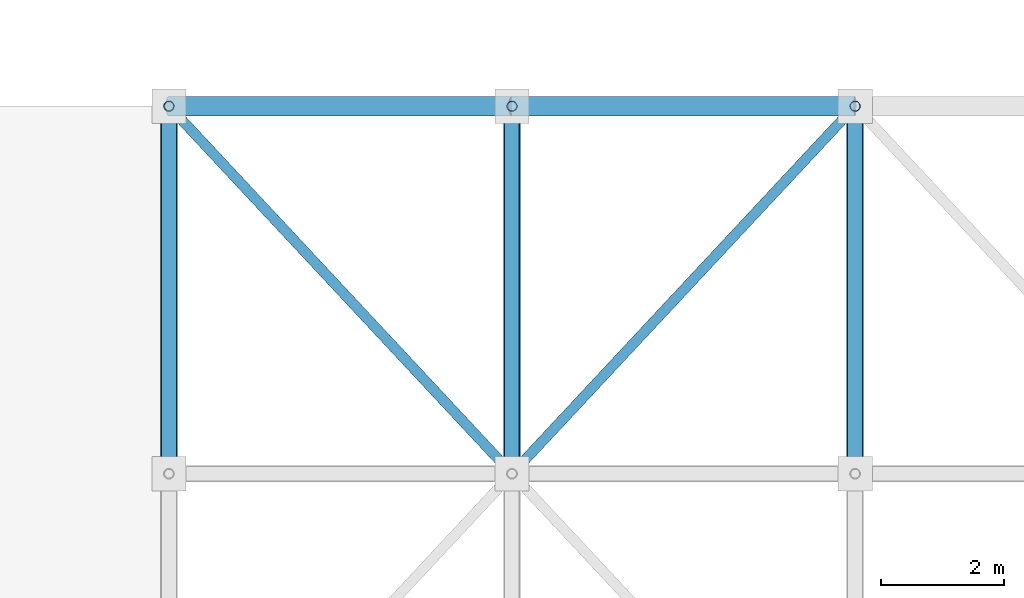
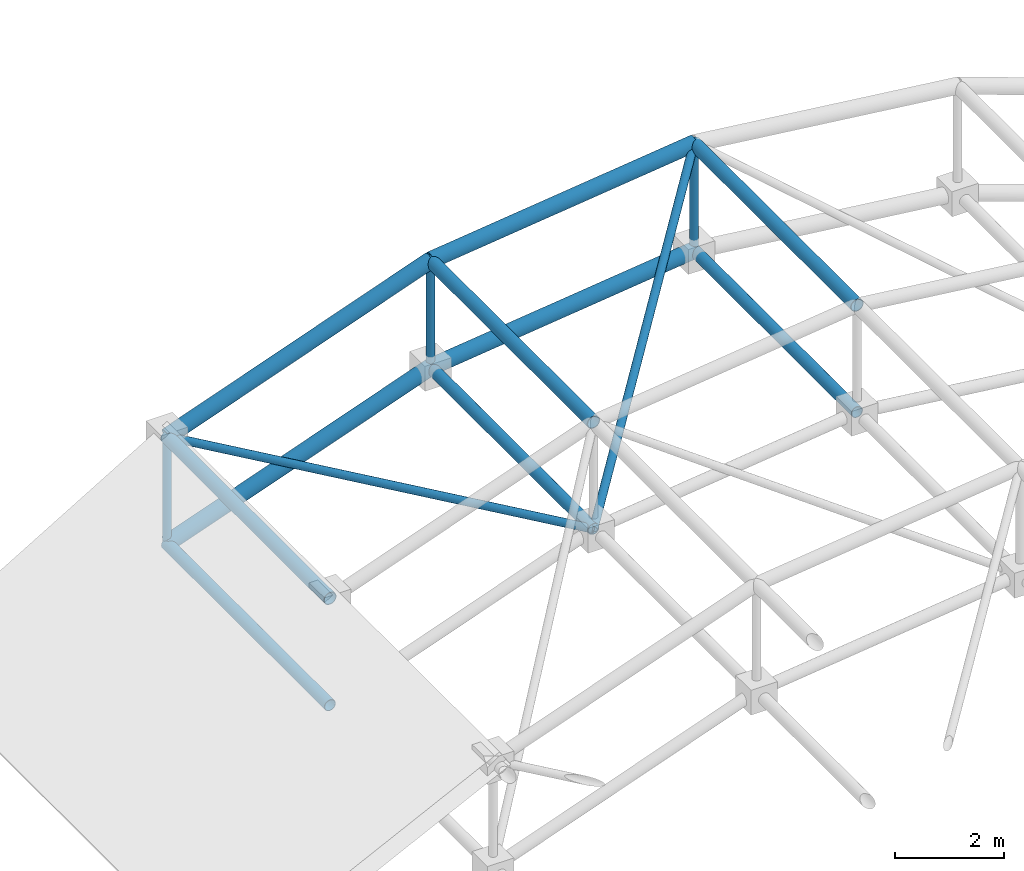
# One storey, part 92 of 140: 15 members.
"""IFC4 building model written with IfcOpenShell, lengths in metres."""

from ifc_helpers import new_model, si_unit, direction, frame, origin, origin_2d, place, context, subcontext, project, spatial, hollow_circle, extrude, material, material_profile, profile_set, type_object, element, save


model = new_model("IFC4")

# Units and contexts
model_context = context("Model", 3, precision=1e-05, world=origin(), true_north=direction((0.0, 1.0)))
body_context = subcontext(model_context, "Body", "Model", "MODEL_VIEW")
ifc_project = project(units=[si_unit("LENGTHUNIT", "METRE"), si_unit("AREAUNIT", "SQUARE_METRE"), si_unit("VOLUMEUNIT", "CUBIC_METRE"), si_unit("PLANEANGLEUNIT", "RADIAN"), si_unit("MASSUNIT", "GRAM", prefix="KILO")], contexts=[model_context])

# Site, building, storey
site_placement = place(None, origin())
site = spatial("IfcSite", under=ifc_project, at=site_placement, CompositionType="ELEMENT")
building_placement = place(site_placement, origin())
building = spatial("IfcBuilding", under=site, at=building_placement, Name="Trelvath General Hospital", CompositionType="ELEMENT")
storey_placement = place(building_placement, frame((0.0, 0.0, 16.199951171875)))
storey = spatial("IfcBuildingStorey", under=building, at=storey_placement, Name="L04", CompositionType="ELEMENT", Elevation=16.199951171875)

# Members
ifc_material_1 = material(Name="Steel S355", Category="steel")
ifc_material_profile_1 = material_profile(ifc_material_1, hollow_circle(Radius=0.122314453125, WallThickness=0.010009765625, at=origin_2d()), Name="CHS244.5x10.0")
ifc_profile_set_1 = profile_set([ifc_material_profile_1], Name="Steel S355")
member_type_1 = type_object("IfcMemberType", Name="SpaceFrameBottomChord CHS244", PredefinedType="CHORD", material=ifc_profile_set_1)
for number, where, z_axis, x_axis, name in (
    (1, (148.39990234375, 61.199951171875, 0.033447265625), (0.0, 1.0, 0.0), (-1.0, 0.0, 0.0), "Space Frame Bottom Chord Y 2-7"),
    (2, (154.0, 61.199951171875, 2.033447265625), (0.0, 1.0, 0.0), (-1.0, 0.0, 0.0), "Space Frame Bottom Chord Y 3-7"),
    (3, (159.60009765625, 61.199951171875, 2.699951171875), (0.0, 1.0, 0.0), (-1.0, 0.0, 0.0), "Space Frame Bottom Chord Y 4-7"),
):
    element("IfcMember", number, at=place(storey_placement, frame(where, z_axis=z_axis, x_axis=x_axis)), inside=storey, type_object=member_type_1, Name=name, PredefinedType="CHORD", context=body_context, shape_type="SweptSolid", body=[
        extrude(hollow_circle(Radius=0.122314453125, WallThickness=0.010009765625, at=origin_2d()), origin(), (0.0, 0.0, 1.0), 6.0),
    ])
ifc_material_2 = material(Name="Steel S355", Category="steel")
ifc_material_profile_2 = material_profile(ifc_material_2, hollow_circle(Radius=0.084228515625, WallThickness=0.008056640625, at=origin_2d()), Name="CHS168.3x8.0")
ifc_profile_set_2 = profile_set([ifc_material_profile_2], Name="Steel S355")
member_type_2 = type_object("IfcMemberType", Name="SpaceFrameDiagStd CHS168", PredefinedType="BRACE", material=ifc_profile_set_2)
member_1_placement = place(storey_placement, frame((154.0, 61.199951171875, 2.033447265625), z_axis=(-0.681516095791, 0.730183083536, 0.048666987745), x_axis=(-0.731049333052, -0.682324609438, 0.0)))
element("IfcMember", 4, at=member_1_placement, inside=storey, type_object=member_type_2, Name="Space Frame Web Diagonal B 2-7", PredefinedType="BRACE", context=body_context, shape_type="SweptSolid", body=[
    extrude(hollow_circle(Radius=0.084228515625, WallThickness=0.008056640625, at=origin_2d()), origin(), (0.0, 0.0, 1.0), 8.217041015625),
])
member_2_placement = place(storey_placement, frame((148.39990234375, 67.199951171875, 0.033447265625), z_axis=(0.0, 0.0, 1.0), x_axis=(1.0, 0.0, 0.0)))
element("IfcMember", 5, at=member_2_placement, inside=storey, type_object=member_type_2, Name="Space Frame Web Post 2-8", PredefinedType="BRACE", context=body_context, shape_type="SweptSolid", body=[
    extrude(hollow_circle(Radius=0.084228515625, WallThickness=0.008056640625, at=origin_2d()), origin(), (0.0, 0.0, 1.0), 2.39990234375),
])
member_3_placement = place(storey_placement, frame((154.0, 61.199951171875, 2.033447265625), z_axis=(0.639164628842, 0.684807303096, 0.350010763924), x_axis=(-0.731049333052, 0.682324609438, 0.0)))
element("IfcMember", 6, at=member_3_placement, inside=storey, type_object=member_type_2, Name="Space Frame Web Diagonal A 3-7", PredefinedType="BRACE", context=body_context, shape_type="SweptSolid", body=[
    extrude(hollow_circle(Radius=0.084228515625, WallThickness=0.008056640625, at=origin_2d()), origin(), (0.0, 0.0, 1.0), 8.761474609375),
])
member_4_placement = place(storey_placement, frame((154.0, 67.199951171875, 2.033447265625), z_axis=(0.0, 0.0, 1.0), x_axis=(1.0, 0.0, 0.0)))
element("IfcMember", 7, at=member_4_placement, inside=storey, type_object=member_type_2, Name="Space Frame Web Post 3-8", PredefinedType="BRACE", context=body_context, shape_type="SweptSolid", body=[
    extrude(hollow_circle(Radius=0.084228515625, WallThickness=0.008056640625, at=origin_2d()), origin(), (0.0, 0.0, 1.0), 2.39990234375),
])
member_5_placement = place(storey_placement, frame((159.60009765625, 67.199951171875, 2.699951171875), z_axis=(0.0, 0.0, 1.0), x_axis=(1.0, 0.0, 0.0)))
element("IfcMember", 8, at=member_5_placement, inside=storey, type_object=member_type_2, Name="Space Frame Web Post 4-8", PredefinedType="BRACE", context=body_context, shape_type="SweptSolid", body=[
    extrude(hollow_circle(Radius=0.084228515625, WallThickness=0.008056640625, at=origin_2d()), origin(), (0.0, 0.0, 1.0), 2.400146484375),
])
ifc_material_3 = material(Name="Steel S355", Category="steel")
ifc_material_profile_3 = material_profile(ifc_material_3, hollow_circle(Radius=0.161865234375, WallThickness=0.012451171875, at=origin_2d()), Name="CHS323.9x12.5")
ifc_profile_set_3 = profile_set([ifc_material_profile_3], Name="Steel S355")
member_type_3 = type_object("IfcMemberType", Name="SpaceFrameEdgeChord CHS323", PredefinedType="CHORD", material=ifc_profile_set_3)
for number, where, z_axis, x_axis, name in (
    (9, (148.39990234375, 67.199951171875, 0.033447265625), (0.94174376932, 0.0, 0.336331195321), (0.0, 1.0, 0.0), "Space Frame Bottom Chord X 2-8"),
    (10, (148.39990234375, 67.199951171875, 2.433349609375), (0.94174376932, 0.0, 0.336331195321), (0.0, 1.0, 0.0), "Space Frame Top Chord X 2-8"),
):
    element("IfcMember", number, at=place(storey_placement, frame(where, z_axis=z_axis, x_axis=x_axis)), inside=storey, type_object=member_type_3, Name=name, PredefinedType="CHORD", context=body_context, shape_type="SweptSolid", body=[
        extrude(hollow_circle(Radius=0.161865234375, WallThickness=0.012451171875, at=origin_2d()), origin(), (0.0, 0.0, 1.0), 5.946533203125),
    ])
for number, where, z_axis, x_axis, name in (
    (11, (154.0, 67.199951171875, 2.033447265625), (0.99299190343, 0.0, 0.118182400225), (0.0, 1.0, 0.0), "Space Frame Bottom Chord X 3-8"),
    (12, (154.0, 67.199951171875, 4.433349609375), (0.992986822246, 0.0, 0.118225085516), (0.0, 1.0, 0.0), "Space Frame Top Chord X 3-8"),
):
    element("IfcMember", number, at=place(storey_placement, frame(where, z_axis=z_axis, x_axis=x_axis)), inside=storey, type_object=member_type_3, Name=name, PredefinedType="CHORD", context=body_context, shape_type="SweptSolid", body=[
        extrude(hollow_circle(Radius=0.161865234375, WallThickness=0.012451171875, at=origin_2d()), origin(), (0.0, 0.0, 1.0), 5.6396484375),
    ])
ifc_material_4 = material(Name="Steel S355", Category="steel")
ifc_material_profile_4 = material_profile(ifc_material_4, hollow_circle(Radius=0.136474609375, WallThickness=0.012451171875, at=origin_2d()), Name="CHS273.0x12.5")
ifc_profile_set_4 = profile_set([ifc_material_profile_4], Name="Steel S355")
member_type_4 = type_object("IfcMemberType", Name="SpaceFrameTopChord CHS273", PredefinedType="CHORD", material=ifc_profile_set_4)
for number, where, z_axis, x_axis, name in (
    (13, (148.39990234375, 61.199951171875, 2.433349609375), (0.0, 1.0, 0.0), (-1.0, 0.0, 0.0), "Space Frame Top Chord Y 2-7"),
    (14, (154.0, 61.199951171875, 4.433349609375), (0.0, 1.0, 0.0), (-1.0, 0.0, 0.0), "Space Frame Top Chord Y 3-7"),
    (15, (159.60009765625, 61.199951171875, 5.10009765625), (0.0, 1.0, 0.0), (-1.0, 0.0, 0.0), "Space Frame Top Chord Y 4-7"),
):
    element("IfcMember", number, at=place(storey_placement, frame(where, z_axis=z_axis, x_axis=x_axis)), inside=storey, type_object=member_type_4, Name=name, PredefinedType="CHORD", context=body_context, shape_type="SweptSolid", body=[
        extrude(hollow_circle(Radius=0.136474609375, WallThickness=0.012451171875, at=origin_2d()), origin(), (0.0, 0.0, 1.0), 6.0),
    ])

save(model, "model.ifc")
